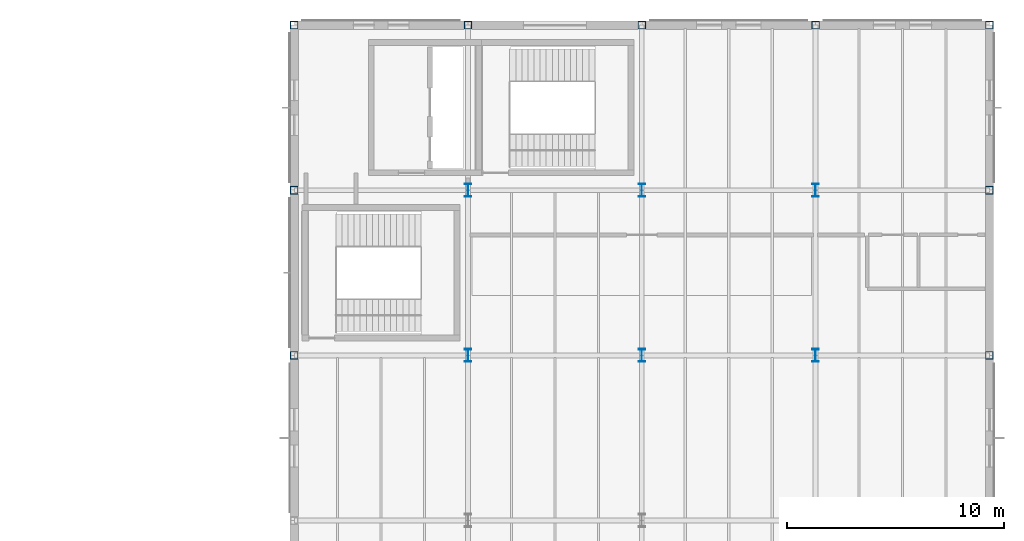
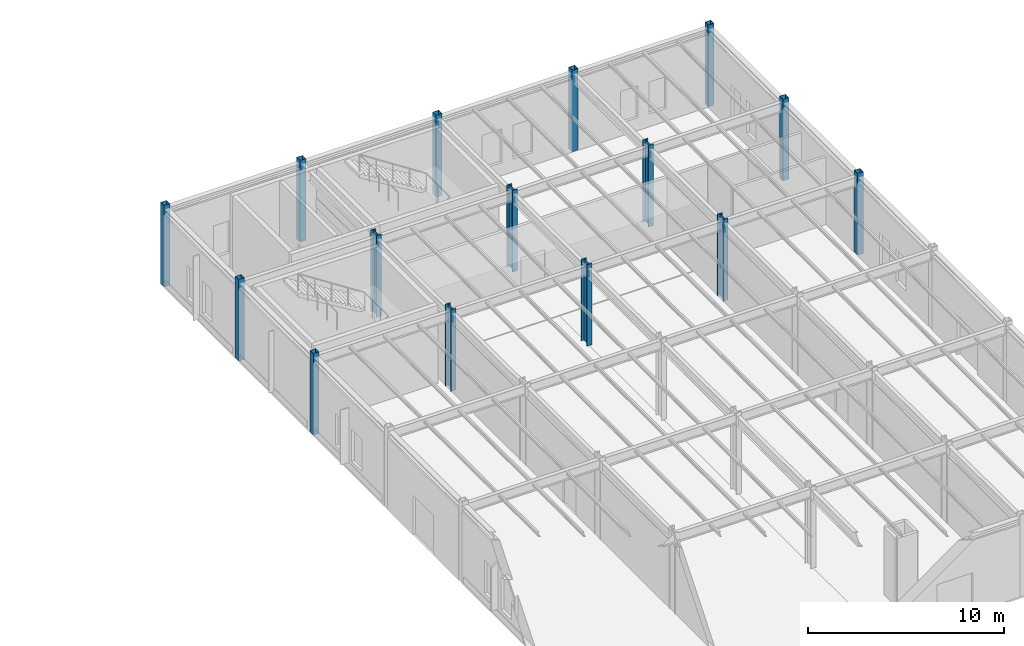
# One storey, part 25 of 109: 15 columns.
"""IFC4 building model written with IfcOpenShell, lengths in metres."""

from ifc_helpers import new_model, si_unit, direction, frame, origin, origin_2d, place, context, subcontext, project, spatial, hollow_rectangle, i_section, extrude, material, material_profile, profile_set, type_object, element, save


model = new_model("IFC4")

# Units and contexts
model_context = context("Model", 3, precision=1e-05, world=origin(), true_north=direction((0.0, 1.0)))
body_context = subcontext(model_context, "Body", "Model", "MODEL_VIEW")
ifc_project = project(units=[si_unit("LENGTHUNIT", "METRE"), si_unit("AREAUNIT", "SQUARE_METRE"), si_unit("VOLUMEUNIT", "CUBIC_METRE"), si_unit("PLANEANGLEUNIT", "RADIAN"), si_unit("MASSUNIT", "GRAM", prefix="KILO")], contexts=[model_context])

# Site, building, storey
site_placement = place(None, origin())
site = spatial("IfcSite", under=ifc_project, at=site_placement, CompositionType="ELEMENT")
building_placement = place(site_placement, origin())
building = spatial("IfcBuilding", under=site, at=building_placement, Name="Montecoro Central Library", CompositionType="ELEMENT")
storey_placement = place(building_placement, origin())
storey = spatial("IfcBuildingStorey", under=building, at=storey_placement, Name="L00", CompositionType="ELEMENT", Elevation=0.0)

# Columns
ifc_material = material(Name="Steel S355J2", Category="steel")
ifc_material_profile_1 = material_profile(ifc_material, i_section(OverallWidth=0.300048828125, OverallDepth=0.60009765625, WebThickness=0.015380859375, FlangeThickness=0.030029296875, at=origin_2d()), Name="HEB 600")
ifc_profile_set_1 = profile_set([ifc_material_profile_1], Name="Steel S355J2")
column_type_1 = type_object("IfcColumnType", Name="COL-HEB600", PredefinedType="COLUMN", material=ifc_profile_set_1)
for number, where, z_axis, x_axis, name in (
    (1, (149.0, 103.800048828125, 0.0), (0.0, 0.0, 1.0), (1.0, 0.0, 0.0), "V5-L00-COL-19-P"),
    (2, (149.0, 111.39990234375, 0.0), (0.0, 0.0, 1.0), (1.0, 0.0, 0.0), "V5-L00-COL-19-Q"),
    (3, (157.0, 103.800048828125, 0.0), (0.0, 0.0, 1.0), (1.0, 0.0, 0.0), "V5-L00-COL-20-P"),
    (4, (157.0, 111.39990234375, 0.0), (0.0, 0.0, 1.0), (1.0, 0.0, 0.0), "V5-L00-COL-20-Q"),
    (5, (165.0, 103.800048828125, 0.0), (0.0, 0.0, 1.0), (1.0, 0.0, 0.0), "V5-L00-COL-21-P"),
    (6, (165.0, 111.39990234375, 0.0), (0.0, 0.0, 1.0), (1.0, 0.0, 0.0), "V5-L00-COL-21-Q"),
):
    element("IfcColumn", number, at=place(storey_placement, frame(where, z_axis=z_axis, x_axis=x_axis)), inside=storey, type_object=column_type_1, Name=name, PredefinedType="COLUMN", context=body_context, shape_type="SweptSolid", body=[
        extrude(i_section(OverallWidth=0.300048828125, OverallDepth=0.60009765625, WebThickness=0.015380859375, FlangeThickness=0.030029296875, at=origin_2d()), origin(), (0.0, 0.0, 1.0), 5.074951171875),
    ])
ifc_material_profile_2 = material_profile(ifc_material, hollow_rectangle(XDim=0.35009765625, YDim=0.35009765625, WallThickness=0.01416015625, at=origin_2d()), Name="SHS 350x350x14.2")
ifc_profile_set_2 = profile_set([ifc_material_profile_2], Name="Steel S355J2")
column_type_2 = type_object("IfcColumnType", Name="COL-SHS350", PredefinedType="COLUMN", material=ifc_profile_set_2)
for number, where, z_axis, x_axis, name in (
    (7, (141.0, 103.800048828125, 0.0), (0.0, 0.0, 1.0), (1.0, 0.0, 0.0), "V5-L00-COL-18-P"),
    (8, (141.0, 111.39990234375, 0.0), (0.0, 0.0, 1.0), (1.0, 0.0, 0.0), "V5-L00-COL-18-Q"),
    (9, (141.0, 119.0, 0.0), (0.0, 0.0, 1.0), (1.0, 0.0, 0.0), "V5-L00-COL-18-R"),
    (10, (149.0, 119.0, 0.0), (0.0, 0.0, 1.0), (1.0, 0.0, 0.0), "V5-L00-COL-19-R"),
    (11, (157.0, 119.0, 0.0), (0.0, 0.0, 1.0), (1.0, 0.0, 0.0), "V5-L00-COL-20-R"),
    (12, (165.0, 119.0, 0.0), (0.0, 0.0, 1.0), (1.0, 0.0, 0.0), "V5-L00-COL-21-R"),
    (13, (173.0, 103.800048828125, 0.0), (0.0, 0.0, 1.0), (1.0, 0.0, 0.0), "V5-L00-COL-22-P"),
    (14, (173.0, 111.39990234375, 0.0), (0.0, 0.0, 1.0), (1.0, 0.0, 0.0), "V5-L00-COL-22-Q"),
    (15, (173.0, 119.0, 0.0), (0.0, 0.0, 1.0), (1.0, 0.0, 0.0), "V5-L00-COL-22-R"),
):
    element("IfcColumn", number, at=place(storey_placement, frame(where, z_axis=z_axis, x_axis=x_axis)), inside=storey, type_object=column_type_2, Name=name, PredefinedType="COLUMN", context=body_context, shape_type="SweptSolid", body=[
        extrude(hollow_rectangle(XDim=0.35009765625, YDim=0.35009765625, WallThickness=0.01416015625, at=origin_2d()), origin(), (0.0, 0.0, 1.0), 5.074951171875),
    ])

save(model, "model.ifc")
